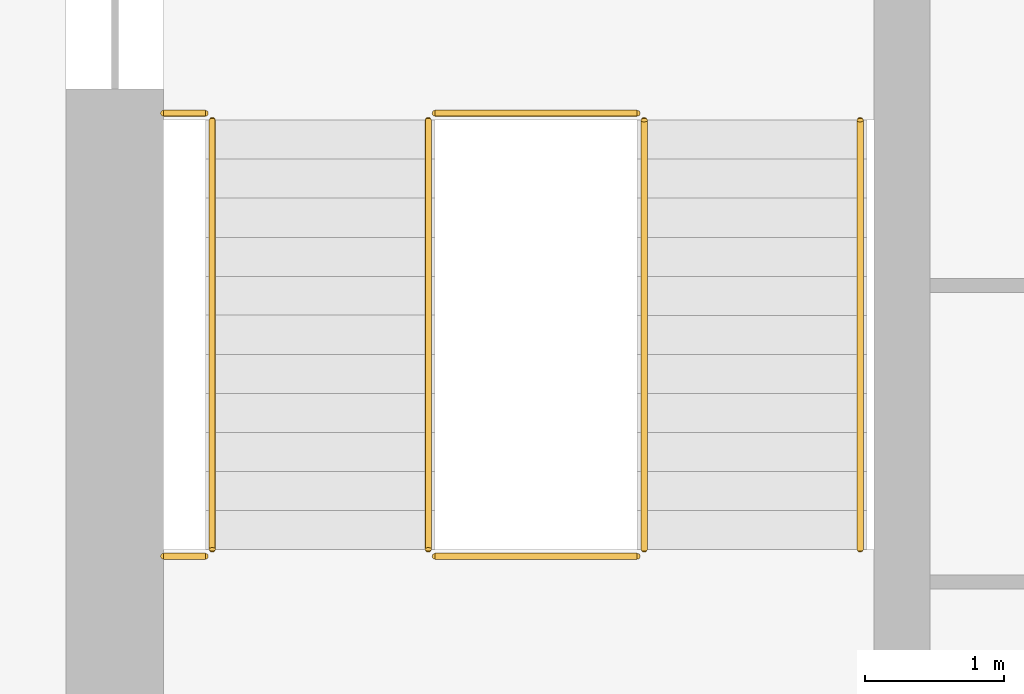
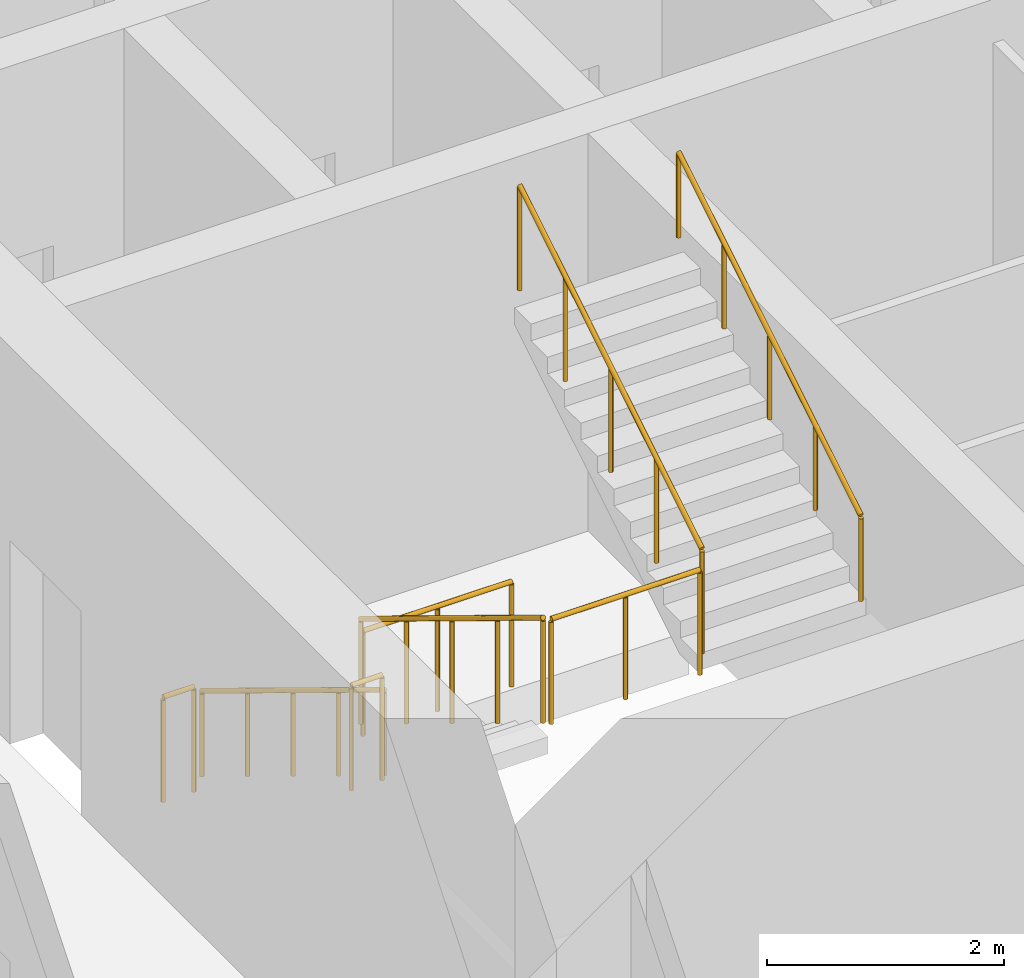
# One storey, part 10 of 17: 8 railings.
"""IFC4 building model written with IfcOpenShell, lengths in metres."""

from ifc_helpers import new_model, si_unit, direction, frame, origin, origin_2d, place, context, subcontext, project, spatial, circle, extrude, material, type_object, element, save


model = new_model("IFC4")

# Units and contexts
model_context = context("Model", 3, precision=1e-05, world=origin(), true_north=direction((0.0, 1.0)))
body_context = subcontext(model_context, "Body", "Model", "MODEL_VIEW")
ifc_project = project(units=[si_unit("LENGTHUNIT", "METRE"), si_unit("AREAUNIT", "SQUARE_METRE"), si_unit("VOLUMEUNIT", "CUBIC_METRE"), si_unit("PLANEANGLEUNIT", "RADIAN"), si_unit("MASSUNIT", "GRAM", prefix="KILO")], contexts=[model_context])

# Site, building, storey
site_placement = place(None, origin())
site = spatial("IfcSite", under=ifc_project, at=site_placement, CompositionType="ELEMENT")
building_placement = place(site_placement, origin())
building = spatial("IfcBuilding", under=site, at=building_placement, Name="Corbel Stack Research Tower", CompositionType="ELEMENT")
storey_placement = place(building_placement, frame((0.0, 0.0, 243.89990234375)))
storey = spatial("IfcBuildingStorey", under=building, at=storey_placement, Name="L55", CompositionType="ELEMENT", Elevation=243.89990234375)

# Railings
ifc_material_1 = material(Name="Steel S355", Category="steel")
railing_type_1 = type_object("IfcRailingType", Name="Stair guard 1100", PredefinedType="GUARDRAIL", material=ifc_material_1)
railing_1_placement = place(storey_placement, frame((-7.89990234375, -2.39990234375, 0.1708984375)))
element("IfcRailing", 1, at=railing_1_placement, inside=storey, type_object=railing_type_1, Name="L55 ST-W1 stair guard 1", PredefinedType="GUARDRAIL", context=body_context, shape_type="SweptSolid", body=[
    extrude(circle(Radius=0.02392578125, at=origin_2d()), frame((0.0, 0.0, 1.076171875), z_axis=(0.0, -0.853666305674, 0.52082035152), x_axis=(1.0, 0.0, 0.0)), (0.0, 0.0, 1.0), 3.608154296875),
    extrude(circle(Radius=0.02099609375, at=origin_2d()), origin(), (0.0, 0.0, 1.0), 1.052001953125),
    extrude(circle(Radius=0.02099609375, at=origin_2d()), frame((0.0, -0.77001953125, 0.4697265625)), (0.0, 0.0, 1.0), 1.052001953125),
    extrude(circle(Radius=0.02099609375, at=origin_2d()), frame((0.0, -1.5400390625, 0.939453125)), (0.0, 0.0, 1.0), 1.052001953125),
    extrude(circle(Radius=0.02099609375, at=origin_2d()), frame((0.0, -2.31005859375, 1.409423828125)), (0.0, 0.0, 1.0), 1.052001953125),
    extrude(circle(Radius=0.02099609375, at=origin_2d()), frame((0.0, -3.080078125, 1.879150390625)), (0.0, 0.0, 1.0), 1.052001953125),
])
railing_2_placement = place(storey_placement, frame((-7.85009765625, -5.530029296875, 2.050048828125)))
element("IfcRailing", 2, at=railing_2_placement, inside=storey, type_object=railing_type_1, Name="L55 ST-W1 stair guard 2", PredefinedType="GUARDRAIL", context=body_context, shape_type="SweptSolid", body=[
    extrude(circle(Radius=0.02392578125, at=origin_2d()), frame((0.0, 0.0, 1.076171875), z_axis=(1.0, 0.0, 0.0), x_axis=(0.0, 1.0, 0.0)), (0.0, 0.0, 1.0), 1.4501953125),
    extrude(circle(Radius=0.02099609375, at=origin_2d()), origin(), (0.0, 0.0, 1.0), 1.052001953125),
    extrude(circle(Radius=0.02099609375, at=origin_2d()), frame((0.72509765625, 0.0, 0.0)), (0.0, 0.0, 1.0), 1.052001953125),
    extrude(circle(Radius=0.02099609375, at=origin_2d()), frame((1.4501953125, 0.0, 0.0)), (0.0, 0.0, 1.0), 1.052001953125),
])
railing_3_placement = place(storey_placement, frame((-9.800048828125, -5.530029296875, 2.050048828125)))
element("IfcRailing", 3, at=railing_3_placement, inside=storey, type_object=railing_type_1, Name="L55 ST-W1 stair guard 3", PredefinedType="GUARDRAIL", context=body_context, shape_type="SweptSolid", body=[
    extrude(circle(Radius=0.02392578125, at=origin_2d()), frame((0.0, 0.0, 1.076171875), z_axis=(1.0, 0.0, 0.0), x_axis=(0.0, 1.0, 0.0)), (0.0, 0.0, 1.0), 0.300048828125),
    extrude(circle(Radius=0.02099609375, at=origin_2d()), origin(), (0.0, 0.0, 1.0), 1.052001953125),
    extrude(circle(Radius=0.02099609375, at=origin_2d()), frame((0.300048828125, 0.0, 0.0)), (0.0, 0.0, 1.0), 1.052001953125),
])
railing_4_placement = place(storey_placement, frame((-6.35009765625, -5.47998046875, 2.220947265625)))
element("IfcRailing", 4, at=railing_4_placement, inside=storey, type_object=railing_type_1, Name="L55 ST-W1 stair guard 4", PredefinedType="GUARDRAIL", context=body_context, shape_type="SweptSolid", body=[
    extrude(circle(Radius=0.02392578125, at=origin_2d()), frame((0.0, 0.0, 1.076171875), z_axis=(0.0, 0.853666305674, 0.52082035152), x_axis=(-1.0, 0.0, 0.0)), (0.0, 0.0, 1.0), 3.608154296875),
    extrude(circle(Radius=0.02099609375, at=origin_2d()), origin(), (0.0, 0.0, 1.0), 1.052001953125),
    extrude(circle(Radius=0.02099609375, at=origin_2d()), frame((0.0, 0.77001953125, 0.4697265625)), (0.0, 0.0, 1.0), 1.052001953125),
    extrude(circle(Radius=0.02099609375, at=origin_2d()), frame((0.0, 1.5400390625, 0.939453125)), (0.0, 0.0, 1.0), 1.052001953125),
    extrude(circle(Radius=0.02099609375, at=origin_2d()), frame((0.0, 2.31005859375, 1.409423828125)), (0.0, 0.0, 1.0), 1.052001953125),
    extrude(circle(Radius=0.02099609375, at=origin_2d()), frame((0.0, 3.080078125, 1.879150390625)), (0.0, 0.0, 1.0), 1.052001953125),
])
railing_5_placement = place(storey_placement, frame((-7.85009765625, -2.35009765625, 0.0)))
element("IfcRailing", 5, at=railing_5_placement, inside=storey, type_object=railing_type_1, Name="L55 ST-W1 stair guard 5", PredefinedType="GUARDRAIL", context=body_context, shape_type="SweptSolid", body=[
    extrude(circle(Radius=0.02392578125, at=origin_2d()), frame((0.0, 0.0, 1.076171875), z_axis=(1.0, 0.0, 0.0), x_axis=(0.0, 1.0, 0.0)), (0.0, 0.0, 1.0), 1.4501953125),
    extrude(circle(Radius=0.02099609375, at=origin_2d()), origin(), (0.0, 0.0, 1.0), 1.052001953125),
    extrude(circle(Radius=0.02099609375, at=origin_2d()), frame((0.72509765625, 0.0, 0.0)), (0.0, 0.0, 1.0), 1.052001953125),
    extrude(circle(Radius=0.02099609375, at=origin_2d()), frame((1.4501953125, 0.0, 0.0)), (0.0, 0.0, 1.0), 1.052001953125),
])
railing_6_placement = place(storey_placement, frame((-9.800048828125, -2.35009765625, 0.0)))
element("IfcRailing", 6, at=railing_6_placement, inside=storey, type_object=railing_type_1, Name="L55 ST-W1 stair guard 6", PredefinedType="GUARDRAIL", context=body_context, shape_type="SweptSolid", body=[
    extrude(circle(Radius=0.02392578125, at=origin_2d()), frame((0.0, 0.0, 1.076171875), z_axis=(1.0, 0.0, 0.0), x_axis=(0.0, 1.0, 0.0)), (0.0, 0.0, 1.0), 0.300048828125),
    extrude(circle(Radius=0.02099609375, at=origin_2d()), origin(), (0.0, 0.0, 1.0), 1.052001953125),
    extrude(circle(Radius=0.02099609375, at=origin_2d()), frame((0.300048828125, 0.0, 0.0)), (0.0, 0.0, 1.0), 1.052001953125),
])
ifc_material_2 = material(Name="Steel S355", Category="steel")
railing_type_2 = type_object("IfcRailingType", Name="Stair handrail 900", PredefinedType="HANDRAIL", material=ifc_material_2)
railing_7_placement = place(storey_placement, frame((-9.449951171875, -2.39990234375, 0.1708984375)))
element("IfcRailing", 7, at=railing_7_placement, inside=storey, type_object=railing_type_2, Name="L55 ST-W1 stair handrail 1", PredefinedType="HANDRAIL", context=body_context, shape_type="SweptSolid", body=[
    extrude(circle(Radius=0.02392578125, at=origin_2d()), frame((0.0, 0.0, 0.8759765625), z_axis=(0.0, -0.853666305674, 0.52082035152), x_axis=(1.0, 0.0, 0.0)), (0.0, 0.0, 1.0), 3.608154296875),
    extrude(circle(Radius=0.02099609375, at=origin_2d()), origin(), (0.0, 0.0, 1.0), 0.851806640625),
    extrude(circle(Radius=0.02099609375, at=origin_2d()), frame((0.0, -0.77001953125, 0.4697265625)), (0.0, 0.0, 1.0), 0.851806640625),
    extrude(circle(Radius=0.02099609375, at=origin_2d()), frame((0.0, -1.5400390625, 0.939453125)), (0.0, 0.0, 1.0), 0.851806640625),
    extrude(circle(Radius=0.02099609375, at=origin_2d()), frame((0.0, -2.31005859375, 1.409423828125)), (0.0, 0.0, 1.0), 0.851806640625),
    extrude(circle(Radius=0.02099609375, at=origin_2d()), frame((0.0, -3.080078125, 1.879150390625)), (0.0, 0.0, 1.0), 0.851806640625),
])
railing_8_placement = place(storey_placement, frame((-4.800048828125, -5.47998046875, 2.220947265625)))
element("IfcRailing", 8, at=railing_8_placement, inside=storey, type_object=railing_type_2, Name="L55 ST-W1 stair handrail 2", PredefinedType="HANDRAIL", context=body_context, shape_type="SweptSolid", body=[
    extrude(circle(Radius=0.02392578125, at=origin_2d()), frame((0.0, 0.0, 0.8759765625), z_axis=(0.0, 0.853666305674, 0.52082035152), x_axis=(-1.0, 0.0, 0.0)), (0.0, 0.0, 1.0), 3.608154296875),
    extrude(circle(Radius=0.02099609375, at=origin_2d()), origin(), (0.0, 0.0, 1.0), 0.851806640625),
    extrude(circle(Radius=0.02099609375, at=origin_2d()), frame((0.0, 0.77001953125, 0.4697265625)), (0.0, 0.0, 1.0), 0.851806640625),
    extrude(circle(Radius=0.02099609375, at=origin_2d()), frame((0.0, 1.5400390625, 0.939453125)), (0.0, 0.0, 1.0), 0.851806640625),
    extrude(circle(Radius=0.02099609375, at=origin_2d()), frame((0.0, 2.31005859375, 1.409423828125)), (0.0, 0.0, 1.0), 0.851806640625),
    extrude(circle(Radius=0.02099609375, at=origin_2d()), frame((0.0, 3.080078125, 1.879150390625)), (0.0, 0.0, 1.0), 0.851806640625),
])

save(model, "model.ifc")
